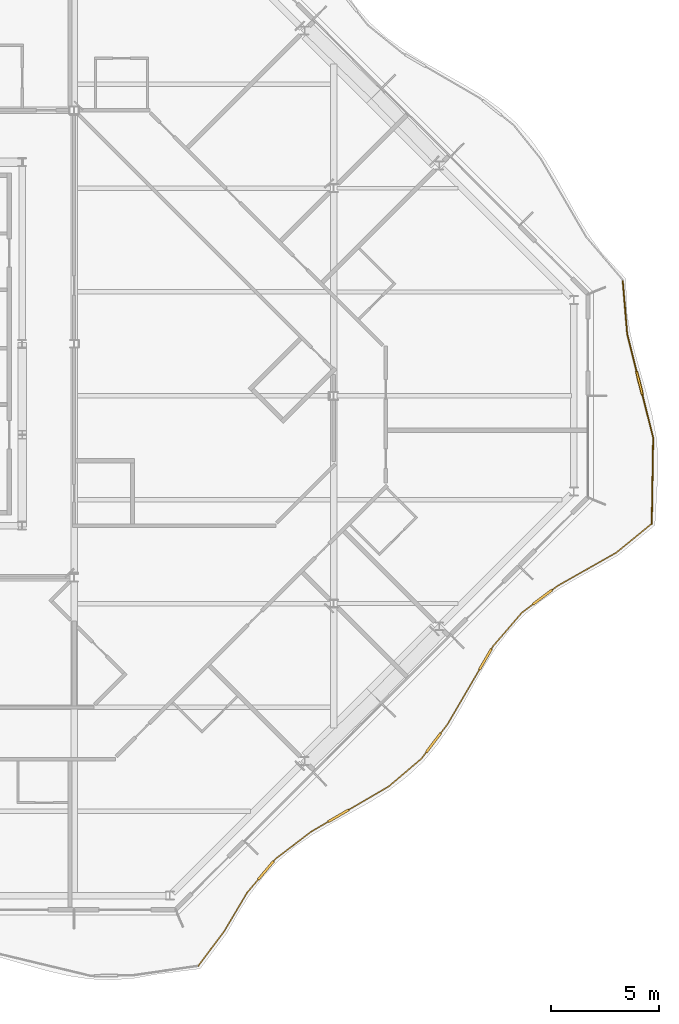
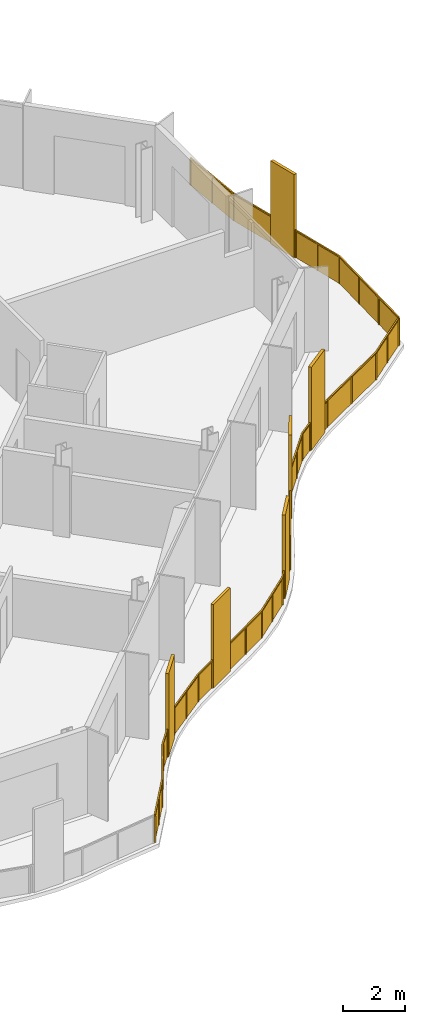
# One storey, part 15 of 17: 2 railings.
"""IFC4 building model written with IfcOpenShell, lengths in metres."""

from ifc_helpers import new_model, si_unit, direction, frame, origin, origin_2d, place, context, subcontext, project, spatial, polyline, rectangle, outline, extrude, material, type_object, element, save


model = new_model("IFC4")

# Units and contexts
model_context = context("Model", 3, precision=1e-05, world=origin(), true_north=direction((0.0, 1.0)))
body_context = subcontext(model_context, "Body", "Model", "MODEL_VIEW")
ifc_project = project(units=[si_unit("LENGTHUNIT", "METRE"), si_unit("AREAUNIT", "SQUARE_METRE"), si_unit("VOLUMEUNIT", "CUBIC_METRE"), si_unit("PLANEANGLEUNIT", "RADIAN"), si_unit("MASSUNIT", "GRAM", prefix="KILO")], contexts=[model_context])

# Site, building, storey
site_placement = place(None, origin())
site = spatial("IfcSite", under=ifc_project, at=site_placement, CompositionType="ELEMENT")
building_placement = place(site_placement, origin())
building = spatial("IfcBuilding", under=site, at=building_placement, Name="Cairn Pilgrim Tower", CompositionType="ELEMENT")
storey_placement = place(building_placement, frame((0.0, 0.0, 257.39990234375)))
storey = spatial("IfcBuildingStorey", under=building, at=storey_placement, Name="L66", CompositionType="ELEMENT", Elevation=257.39990234375)

# Railings
ifc_material = material(Name="Bronze anodised aluminium rail, posts and fin screens with laminated glass infill", Category="aluminium")
railing_type = type_object("IfcRailingType", Name="BALCONY GUARD WITH FIN SCREENS", PredefinedType="GUARDRAIL", material=ifc_material)
railing_1_placement = place(storey_placement, frame((24.945068359375, -26.342041015625, 0.0)))
element("IfcRailing", 1, at=railing_1_placement, inside=storey, type_object=railing_type, Name="Balcony guard BGF-2 with fin screens", PredefinedType="GUARDRAIL", context=body_context, shape_type="SweptSolid", body=[
    extrude(rectangle(XDim=0.050048828125, YDim=0.050048828125, at=origin_2d()), frame((0.0, 0.0, 1.0751953125), z_axis=(0.599409285503, 0.800442695296, 0.0), x_axis=(-0.800442695296, 0.599409285503, 0.0)), (0.0, 0.0, 1.0), 1.984375),
    extrude(rectangle(XDim=0.050048828125, YDim=0.050048828125, at=origin_2d()), frame((1.189453125, 1.58837890625, 1.0751953125), z_axis=(0.510329928553, 0.859978699749, 0.0), x_axis=(-0.859978699749, 0.510329928553, 0.0)), (0.0, 0.0, 1.0), 2.080078125),
    extrude(rectangle(XDim=1.10009765625, YDim=0.110107421875, at=origin_2d()), frame((3.118408203125, 4.408447265625, 0.0), z_axis=(0.0, 0.0, 1.0), x_axis=(0.643742788652, 0.765241936945, 0.0)), (0.0, 0.0, 1.0), 3.300048828125),
    extrude(rectangle(XDim=0.050048828125, YDim=0.050048828125, at=origin_2d()), frame((2.2509765625, 3.377197265625, 1.0751953125), z_axis=(0.643742788652, 0.765241936945, 0.0), x_axis=(-0.765241936945, 0.643742788652, 0.0)), (0.0, 0.0, 1.0), 0.797607421875),
    extrude(rectangle(XDim=0.050048828125, YDim=0.050048828125, at=origin_2d()), frame((3.472412109375, 4.829345703125, 1.0751953125), z_axis=(0.643742788652, 0.765241936945, 0.0), x_axis=(-0.765241936945, 0.643742788652, 0.0)), (0.0, 0.0, 1.0), 0.150146484375),
    extrude(rectangle(XDim=0.050048828125, YDim=0.050048828125, at=origin_2d()), frame((3.569091796875, 4.944091796875, 1.0751953125), z_axis=(0.794550003972, 0.607198724626, 0.0), x_axis=(-0.607198724626, 0.794550003972, 0.0)), (0.0, 0.0, 1.0), 2.054931640625),
    extrude(rectangle(XDim=1.10009765625, YDim=0.110107421875, at=origin_2d()), frame((6.473876953125, 6.933349609375, 0.0), z_axis=(0.0, 0.0, 1.0), x_axis=(0.863974844552, 0.503534971954, 0.0)), (0.0, 0.0, 1.0), 3.300048828125),
    extrude(rectangle(XDim=0.050048828125, YDim=0.050048828125, at=origin_2d()), frame((5.201904296875, 6.19189453125, 1.0751953125), z_axis=(0.863974844552, 0.503534971954, 0.0), x_axis=(-0.503534971954, 0.863974844552, 0.0)), (0.0, 0.0, 1.0), 0.92236328125),
    extrude(rectangle(XDim=0.050048828125, YDim=0.050048828125, at=origin_2d()), frame((6.94921875, 7.210205078125, 1.0751953125), z_axis=(0.863974844552, 0.503534971954, 0.0), x_axis=(-0.503534971954, 0.863974844552, 0.0)), (0.0, 0.0, 1.0), 2.1337890625),
    extrude(rectangle(XDim=0.050048828125, YDim=0.050048828125, at=origin_2d()), frame((8.792724609375, 8.28466796875, 1.0751953125), z_axis=(0.76217861483, 0.647366788688, 0.0), x_axis=(-0.647366788688, 0.76217861483, 0.0)), (0.0, 0.0, 1.0), 1.98828125),
    extrude(rectangle(XDim=1.10009765625, YDim=0.110107421875, at=origin_2d()), frame((10.866943359375, 10.31005859375, 0.0), z_axis=(0.0, 0.0, 1.0), x_axis=(0.603578676161, 0.797303443918, 0.0)), (0.0, 0.0, 1.0), 3.300048828125),
    extrude(rectangle(XDim=0.050048828125, YDim=0.050048828125, at=origin_2d()), frame((10.30810546875, 9.57177734375, 1.0751953125), z_axis=(0.603578676161, 0.797303443918, 0.0), x_axis=(-0.797303443918, 0.603578676161, 0.0)), (0.0, 0.0, 1.0), 0.3759765625),
    extrude(rectangle(XDim=0.050048828125, YDim=0.050048828125, at=origin_2d()), frame((11.198974609375, 10.74853515625, 1.0751953125), z_axis=(0.603578676161, 0.797303443918, 0.0), x_axis=(-0.797303443918, 0.603578676161, 0.0)), (0.0, 0.0, 1.0), 0.529296875),
    extrude(rectangle(XDim=1.10009765625, YDim=0.110107421875, at=origin_2d()), frame((13.26416015625, 14.162353515625, 0.0), z_axis=(0.0, 0.0, 1.0), x_axis=(0.503998612459, 0.863704462556, 0.0)), (0.0, 0.0, 1.0), 3.300048828125),
    extrude(rectangle(XDim=0.050048828125, YDim=0.050048828125, at=origin_2d()), frame((11.518310546875, 11.17041015625, 1.0751953125), z_axis=(0.503998612459, 0.863704462556, 0.0), x_axis=(-0.863704462556, 0.503998612459, 0.0)), (0.0, 0.0, 1.0), 2.9140625),
    extrude(rectangle(XDim=0.050048828125, YDim=0.050048828125, at=origin_2d()), frame((13.541259765625, 14.637451171875, 1.0751953125), z_axis=(0.503998612459, 0.863704462556, 0.0), x_axis=(-0.863704462556, 0.503998612459, 0.0)), (0.0, 0.0, 1.0), 0.14990234375),
    extrude(rectangle(XDim=0.050048828125, YDim=0.050048828125, at=origin_2d()), frame((13.616943359375, 14.766845703125, 1.0751953125), z_axis=(0.651085933483, 0.759004023191, 0.0), x_axis=(-0.759004023191, 0.651085933483, 0.0)), (0.0, 0.0, 1.0), 2.04736328125),
    extrude(rectangle(XDim=1.10009765625, YDim=0.110107421875, at=origin_2d()), frame((15.904541015625, 17.037109375, 0.0), z_axis=(0.0, 0.0, 1.0), x_axis=(0.799871831393, 0.600170853461, 0.0)), (0.0, 0.0, 1.0), 3.300048828125),
    extrude(rectangle(XDim=0.050048828125, YDim=0.050048828125, at=origin_2d()), frame((14.949951171875, 16.32080078125, 1.0751953125), z_axis=(0.799871831393, 0.600170853461, 0.0), x_axis=(-0.600170853461, 0.799871831393, 0.0)), (0.0, 0.0, 1.0), 0.6435546875),
    extrude(rectangle(XDim=0.050048828125, YDim=0.050048828125, at=origin_2d()), frame((16.344482421875, 17.3671875, 1.0751953125), z_axis=(0.799871831393, 0.600170853461, 0.0), x_axis=(-0.600170853461, 0.799871831393, 0.0)), (0.0, 0.0, 1.0), 0.31396484375),
    extrude(rectangle(XDim=0.050048828125, YDim=0.050048828125, at=origin_2d()), frame((16.595703125, 17.5556640625, 1.0751953125), z_axis=(0.870229703751, 0.492646184102, 0.0), x_axis=(-0.492646184102, 0.870229703751, 0.0)), (0.0, 0.0, 1.0), 3.12744140625),
    extrude(rectangle(XDim=0.050048828125, YDim=0.050048828125, at=origin_2d()), frame((19.3173828125, 19.096435546875, 1.0751953125), z_axis=(0.774380724705, 0.632719916871, 0.0), x_axis=(-0.632719916871, 0.774380724705, 0.0)), (0.0, 0.0, 1.0), 2.05419921875),
    extrude(rectangle(XDim=0.050048828125, YDim=0.050048828125, at=origin_2d()), origin(), (0.0, 0.0, 1.0), 1.050048828125),
    extrude(rectangle(XDim=0.050048828125, YDim=0.050048828125, at=origin_2d()), frame((0.5947265625, 0.794189453125, 0.0)), (0.0, 0.0, 1.0), 1.050048828125),
    extrude(rectangle(XDim=0.050048828125, YDim=0.050048828125, at=origin_2d()), frame((1.189453125, 1.58837890625, 0.0)), (0.0, 0.0, 1.0), 1.050048828125),
    extrude(rectangle(XDim=0.050048828125, YDim=0.050048828125, at=origin_2d()), frame((1.72021484375, 2.48291015625, 0.0)), (0.0, 0.0, 1.0), 1.050048828125),
    extrude(rectangle(XDim=0.050048828125, YDim=0.050048828125, at=origin_2d()), frame((2.2509765625, 3.377197265625, 0.0)), (0.0, 0.0, 1.0), 1.050048828125),
    extrude(rectangle(XDim=0.050048828125, YDim=0.050048828125, at=origin_2d()), frame((2.748291015625, 3.96826171875, 0.0)), (0.0, 0.0, 1.0), 1.050048828125),
    extrude(rectangle(XDim=0.050048828125, YDim=0.050048828125, at=origin_2d()), frame((3.488525390625, 4.848388671875, 0.0)), (0.0, 0.0, 1.0), 1.050048828125),
    extrude(rectangle(XDim=0.050048828125, YDim=0.050048828125, at=origin_2d()), frame((3.569091796875, 4.944091796875, 0.0)), (0.0, 0.0, 1.0), 1.050048828125),
    extrude(rectangle(XDim=0.050048828125, YDim=0.050048828125, at=origin_2d()), frame((4.385498046875, 5.56787109375, 0.0)), (0.0, 0.0, 1.0), 1.050048828125),
    extrude(rectangle(XDim=0.050048828125, YDim=0.050048828125, at=origin_2d()), frame((5.201904296875, 6.19189453125, 0.0)), (0.0, 0.0, 1.0), 1.050048828125),
    extrude(rectangle(XDim=0.050048828125, YDim=0.050048828125, at=origin_2d()), frame((5.977294921875, 6.643798828125, 0.0)), (0.0, 0.0, 1.0), 1.050048828125),
    extrude(rectangle(XDim=0.050048828125, YDim=0.050048828125, at=origin_2d()), frame((6.970703125, 7.222900390625, 0.0)), (0.0, 0.0, 1.0), 1.050048828125),
    extrude(rectangle(XDim=0.050048828125, YDim=0.050048828125, at=origin_2d()), frame((7.8818359375, 7.753662109375, 0.0)), (0.0, 0.0, 1.0), 1.050048828125),
    extrude(rectangle(XDim=0.050048828125, YDim=0.050048828125, at=origin_2d()), frame((8.792724609375, 8.28466796875, 0.0)), (0.0, 0.0, 1.0), 1.050048828125),
    extrude(rectangle(XDim=0.050048828125, YDim=0.050048828125, at=origin_2d()), frame((9.55029296875, 8.92822265625, 0.0)), (0.0, 0.0, 1.0), 1.050048828125),
    extrude(rectangle(XDim=0.050048828125, YDim=0.050048828125, at=origin_2d()), frame((10.30810546875, 9.57177734375, 0.0)), (0.0, 0.0, 1.0), 1.050048828125),
    extrude(rectangle(XDim=0.050048828125, YDim=0.050048828125, at=origin_2d()), frame((10.519775390625, 9.8515625, 0.0)), (0.0, 0.0, 1.0), 1.050048828125),
    extrude(rectangle(XDim=0.050048828125, YDim=0.050048828125, at=origin_2d()), frame((11.214111328125, 10.7685546875, 0.0)), (0.0, 0.0, 1.0), 1.050048828125),
    extrude(rectangle(XDim=0.050048828125, YDim=0.050048828125, at=origin_2d()), frame((11.518310546875, 11.17041015625, 0.0)), (0.0, 0.0, 1.0), 1.050048828125),
    extrude(rectangle(XDim=0.050048828125, YDim=0.050048828125, at=origin_2d()), frame((12.246337890625, 12.41796875, 0.0)), (0.0, 0.0, 1.0), 1.050048828125),
    extrude(rectangle(XDim=0.050048828125, YDim=0.050048828125, at=origin_2d()), frame((12.974365234375, 13.66552734375, 0.0)), (0.0, 0.0, 1.0), 1.050048828125),
    extrude(rectangle(XDim=0.050048828125, YDim=0.050048828125, at=origin_2d()), frame((13.553955078125, 14.658935546875, 0.0)), (0.0, 0.0, 1.0), 1.050048828125),
    extrude(rectangle(XDim=0.050048828125, YDim=0.050048828125, at=origin_2d()), frame((13.616943359375, 14.766845703125, 0.0)), (0.0, 0.0, 1.0), 1.050048828125),
    extrude(rectangle(XDim=0.050048828125, YDim=0.050048828125, at=origin_2d()), frame((14.283447265625, 15.5439453125, 0.0)), (0.0, 0.0, 1.0), 1.050048828125),
    extrude(rectangle(XDim=0.050048828125, YDim=0.050048828125, at=origin_2d()), frame((14.949951171875, 16.32080078125, 0.0)), (0.0, 0.0, 1.0), 1.050048828125),
    extrude(rectangle(XDim=0.050048828125, YDim=0.050048828125, at=origin_2d()), frame((15.444580078125, 16.69189453125, 0.0)), (0.0, 0.0, 1.0), 1.050048828125),
    extrude(rectangle(XDim=0.050048828125, YDim=0.050048828125, at=origin_2d()), frame((16.364501953125, 17.38232421875, 0.0)), (0.0, 0.0, 1.0), 1.050048828125),
    extrude(rectangle(XDim=0.050048828125, YDim=0.050048828125, at=origin_2d()), frame((16.595703125, 17.5556640625, 0.0)), (0.0, 0.0, 1.0), 1.050048828125),
    extrude(rectangle(XDim=0.050048828125, YDim=0.050048828125, at=origin_2d()), frame((17.95654296875, 18.326171875, 0.0)), (0.0, 0.0, 1.0), 1.050048828125),
    extrude(rectangle(XDim=0.050048828125, YDim=0.050048828125, at=origin_2d()), frame((19.3173828125, 19.096435546875, 0.0)), (0.0, 0.0, 1.0), 1.050048828125),
    extrude(rectangle(XDim=0.050048828125, YDim=0.050048828125, at=origin_2d()), frame((20.11279296875, 19.746337890625, 0.0)), (0.0, 0.0, 1.0), 1.050048828125),
    extrude(rectangle(XDim=0.050048828125, YDim=0.050048828125, at=origin_2d()), frame((20.908203125, 20.396240234375, 0.0)), (0.0, 0.0, 1.0), 1.050048828125),
    extrude(outline(polyline([(0.02490234375, 0.0), (0.96728515625, 0.0), (0.96728515625, 1.050048828125), (0.02490234375, 1.050048828125), (0.02490234375, 0.0)])), frame((-0.0048828125, 0.003662109375, 0.0), z_axis=(0.800442695296, -0.599409285503, 0.0), x_axis=(0.599409285503, 0.800442695296, 0.0)), (0.0, 0.0, 1.0), 0.011962890625),
    extrude(outline(polyline([(0.02490234375, 0.0), (0.96728515625, 0.0), (0.96728515625, 1.050048828125), (0.02490234375, 1.050048828125), (0.02490234375, 0.0)])), frame((0.58984375, 0.7978515625, 0.0), z_axis=(0.800442695296, -0.599409285503, 0.0), x_axis=(0.599409285503, 0.800442695296, 0.0)), (0.0, 0.0, 1.0), 0.011962890625),
    extrude(outline(polyline([(0.02490234375, 0.0), (1.014892578125, 0.0), (1.014892578125, 1.050048828125), (0.02490234375, 1.050048828125), (0.02490234375, 0.0)])), frame((1.184326171875, 1.591552734375, 0.0), z_axis=(0.859978699749, -0.510329928553, 0.0), x_axis=(0.510329928553, 0.859978699749, 0.0)), (0.0, 0.0, 1.0), 0.011962890625),
    extrude(outline(polyline([(0.02490234375, 0.0), (1.014892578125, 0.0), (1.014892578125, 1.050048828125), (0.02490234375, 1.050048828125), (0.02490234375, 0.0)])), frame((1.715087890625, 2.48583984375, 0.0), z_axis=(0.859978699749, -0.510329928553, 0.0), x_axis=(0.510329928553, 0.859978699749, 0.0)), (0.0, 0.0, 1.0), 0.011962890625),
    extrude(outline(polyline([(0.02490234375, 0.0), (0.74755859375, 0.0), (0.74755859375, 1.050048828125), (0.02490234375, 1.050048828125), (0.02490234375, 0.0)])), frame((2.246337890625, 3.381103515625, 0.0), z_axis=(0.765241936945, -0.643742788652, 0.0), x_axis=(0.643742788652, 0.765241936945, 0.0)), (0.0, 0.0, 1.0), 0.011962890625),
    extrude(outline(polyline([(0.02490234375, 0.0), (0.10009765625, 0.0), (0.10009765625, 1.050048828125), (0.02490234375, 1.050048828125), (0.02490234375, 0.0)])), frame((3.484130859375, 4.852294921875, 0.0), z_axis=(0.765241936945, -0.643742788652, 0.0), x_axis=(0.643742788652, 0.765241936945, 0.0)), (0.0, 0.0, 1.0), 0.011962890625),
    extrude(outline(polyline([(0.02490234375, 0.0), (1.00244140625, 0.0), (1.00244140625, 1.050048828125), (0.02490234375, 1.050048828125), (0.02490234375, 0.0)])), frame((3.5654296875, 4.94873046875, 0.0), z_axis=(0.607198724626, -0.794550003972, 0.0), x_axis=(0.794550003972, 0.607198724626, 0.0)), (0.0, 0.0, 1.0), 0.011962890625),
    extrude(outline(polyline([(0.02490234375, 0.0), (1.00244140625, 0.0), (1.00244140625, 1.050048828125), (0.02490234375, 1.050048828125), (0.02490234375, 0.0)])), frame((4.3818359375, 5.57275390625, 0.0), z_axis=(0.607198724626, -0.794550003972, 0.0), x_axis=(0.794550003972, 0.607198724626, 0.0)), (0.0, 0.0, 1.0), 0.011962890625),
    extrude(outline(polyline([(0.02490234375, 0.0), (0.872314453125, 0.0), (0.872314453125, 1.050048828125), (0.02490234375, 1.050048828125), (0.02490234375, 0.0)])), frame((5.198974609375, 6.197021484375, 0.0), z_axis=(0.503534971954, -0.863974844552, 0.0), x_axis=(0.863974844552, 0.503534971954, 0.0)), (0.0, 0.0, 1.0), 0.011962890625),
    extrude(outline(polyline([(0.02490234375, 0.0), (1.029296875, 0.0), (1.029296875, 1.050048828125), (0.02490234375, 1.050048828125), (0.02490234375, 0.0)])), frame((6.9677734375, 7.22802734375, 0.0), z_axis=(0.503534971954, -0.863974844552, 0.0), x_axis=(0.863974844552, 0.503534971954, 0.0)), (0.0, 0.0, 1.0), 0.011962890625),
    extrude(outline(polyline([(0.02490234375, 0.0), (1.029296875, 0.0), (1.029296875, 1.050048828125), (0.02490234375, 1.050048828125), (0.02490234375, 0.0)])), frame((7.878662109375, 7.759033203125, 0.0), z_axis=(0.503534971954, -0.863974844552, 0.0), x_axis=(0.863974844552, 0.503534971954, 0.0)), (0.0, 0.0, 1.0), 0.011962890625),
    extrude(outline(polyline([(0.02490234375, 0.0), (0.968994140625, 0.0), (0.968994140625, 1.050048828125), (0.02490234375, 1.050048828125), (0.02490234375, 0.0)])), frame((8.788818359375, 8.289306640625, 0.0), z_axis=(0.647366788688, -0.76217861483, 0.0), x_axis=(0.76217861483, 0.647366788688, 0.0)), (0.0, 0.0, 1.0), 0.011962890625),
    extrude(outline(polyline([(0.02490234375, 0.0), (0.968994140625, 0.0), (0.968994140625, 1.050048828125), (0.02490234375, 1.050048828125), (0.02490234375, 0.0)])), frame((9.546630859375, 8.932861328125, 0.0), z_axis=(0.647366788688, -0.76217861483, 0.0), x_axis=(0.76217861483, 0.647366788688, 0.0)), (0.0, 0.0, 1.0), 0.011962890625),
    extrude(outline(polyline([(0.02490234375, 0.0), (0.325927734375, 0.0), (0.325927734375, 1.050048828125), (0.02490234375, 1.050048828125), (0.02490234375, 0.0)])), frame((10.30322265625, 9.575439453125, 0.0), z_axis=(0.797303443918, -0.603578676161, 0.0), x_axis=(0.603578676161, 0.797303443918, 0.0)), (0.0, 0.0, 1.0), 0.011962890625),
    extrude(outline(polyline([(0.02490234375, 0.0), (0.479248046875, 0.0), (0.479248046875, 1.050048828125), (0.02490234375, 1.050048828125), (0.02490234375, 0.0)])), frame((11.209228515625, 10.77197265625, 0.0), z_axis=(0.797303443918, -0.603578676161, 0.0), x_axis=(0.603578676161, 0.797303443918, 0.0)), (0.0, 0.0, 1.0), 0.011962890625),
    extrude(outline(polyline([(0.02490234375, 0.0), (1.41943359375, 0.0), (1.41943359375, 1.050048828125), (0.02490234375, 1.050048828125), (0.02490234375, 0.0)])), frame((11.51318359375, 11.17333984375, 0.0), z_axis=(0.863704462556, -0.503998612459, 0.0), x_axis=(0.503998612459, 0.863704462556, 0.0)), (0.0, 0.0, 1.0), 0.011962890625),
    extrude(outline(polyline([(0.02490234375, 0.0), (1.41943359375, 0.0), (1.41943359375, 1.050048828125), (0.02490234375, 1.050048828125), (0.02490234375, 0.0)])), frame((12.2412109375, 12.421142578125, 0.0), z_axis=(0.863704462556, -0.503998612459, 0.0), x_axis=(0.503998612459, 0.863704462556, 0.0)), (0.0, 0.0, 1.0), 0.011962890625),
    extrude(outline(polyline([(0.02490234375, 0.0), (0.099853515625, 0.0), (0.099853515625, 1.050048828125), (0.02490234375, 1.050048828125), (0.02490234375, 0.0)])), frame((13.548828125, 14.661865234375, 0.0), z_axis=(0.863704462556, -0.503998612459, 0.0), x_axis=(0.503998612459, 0.863704462556, 0.0)), (0.0, 0.0, 1.0), 0.011962890625),
    extrude(outline(polyline([(0.02490234375, 0.0), (0.99853515625, 0.0), (0.99853515625, 1.050048828125), (0.02490234375, 1.050048828125), (0.02490234375, 0.0)])), frame((13.6123046875, 14.770751953125, 0.0), z_axis=(0.759004023191, -0.651085933483, 0.0), x_axis=(0.651085933483, 0.759004023191, 0.0)), (0.0, 0.0, 1.0), 0.011962890625),
    extrude(outline(polyline([(0.02490234375, 0.0), (0.99853515625, 0.0), (0.99853515625, 1.050048828125), (0.02490234375, 1.050048828125), (0.02490234375, 0.0)])), frame((14.27880859375, 15.547607421875, 0.0), z_axis=(0.759004023191, -0.651085933483, 0.0), x_axis=(0.651085933483, 0.759004023191, 0.0)), (0.0, 0.0, 1.0), 0.011962890625),
    extrude(outline(polyline([(0.02490234375, 0.0), (0.593505859375, 0.0), (0.593505859375, 1.050048828125), (0.02490234375, 1.050048828125), (0.02490234375, 0.0)])), frame((14.9462890625, 16.32568359375, 0.0), z_axis=(0.600170853461, -0.799871831393, 0.0), x_axis=(0.799871831393, 0.600170853461, 0.0)), (0.0, 0.0, 1.0), 0.011962890625),
    extrude(outline(polyline([(0.02490234375, 0.0), (0.263916015625, 0.0), (0.263916015625, 1.050048828125), (0.02490234375, 1.050048828125), (0.02490234375, 0.0)])), frame((16.36083984375, 17.386962890625, 0.0), z_axis=(0.600170853461, -0.799871831393, 0.0), x_axis=(0.799871831393, 0.600170853461, 0.0)), (0.0, 0.0, 1.0), 0.011962890625),
    extrude(outline(polyline([(0.02490234375, 0.0), (1.538818359375, 0.0), (1.538818359375, 1.050048828125), (0.02490234375, 1.050048828125), (0.02490234375, 0.0)])), frame((16.5927734375, 17.560791015625, 0.0), z_axis=(0.492646184102, -0.870229703751, 0.0), x_axis=(0.870229703751, 0.492646184102, 0.0)), (0.0, 0.0, 1.0), 0.011962890625),
    extrude(outline(polyline([(0.02490234375, 0.0), (1.538818359375, 0.0), (1.538818359375, 1.050048828125), (0.02490234375, 1.050048828125), (0.02490234375, 0.0)])), frame((17.95361328125, 18.331298828125, 0.0), z_axis=(0.492646184102, -0.870229703751, 0.0), x_axis=(0.870229703751, 0.492646184102, 0.0)), (0.0, 0.0, 1.0), 0.011962890625),
    extrude(outline(polyline([(0.02490234375, 0.0), (1.002197265625, 0.0), (1.002197265625, 1.050048828125), (0.02490234375, 1.050048828125), (0.02490234375, 0.0)])), frame((19.3134765625, 19.10107421875, 0.0), z_axis=(0.632719916871, -0.774380724705, 0.0), x_axis=(0.774380724705, 0.632719916871, 0.0)), (0.0, 0.0, 1.0), 0.011962890625),
    extrude(outline(polyline([(0.02490234375, 0.0), (1.002197265625, 0.0), (1.002197265625, 1.050048828125), (0.02490234375, 1.050048828125), (0.02490234375, 0.0)])), frame((20.10888671875, 19.7509765625, 0.0), z_axis=(0.632719916871, -0.774380724705, 0.0), x_axis=(0.774380724705, 0.632719916871, 0.0)), (0.0, 0.0, 1.0), 0.011962890625),
])
railing_2_placement = place(storey_placement, frame((45.899658203125, -5.90771484375, 0.0)))
element("IfcRailing", 2, at=railing_2_placement, inside=storey, type_object=railing_type, Name="Balcony guard BGF-3 with fin screens", PredefinedType="GUARDRAIL", context=body_context, shape_type="SweptSolid", body=[
    extrude(rectangle(XDim=0.050048828125, YDim=0.050048828125, at=origin_2d()), frame((0.0, 0.0, 1.0751953125), z_axis=(0.016108098574, 0.999870256163, 0.0), x_axis=(-0.999870256163, 0.016108098574, 0.0)), (0.0, 0.0, 1.0), 3.970947265625),
    extrude(rectangle(XDim=1.10009765625, YDim=0.110107421875, at=origin_2d()), frame((-0.56982421875, 6.503173828125, 0.0), z_axis=(0.0, 0.0, 1.0), x_axis=(-0.242733285544, 0.970093063623, 0.0)), (0.0, 0.0, 1.0), 3.300048828125),
    extrude(rectangle(XDim=0.050048828125, YDim=0.050048828125, at=origin_2d()), frame((0.06396484375, 3.970458984375, 1.0751953125), z_axis=(-0.242733285544, 0.970093063623, 0.0), x_axis=(-0.970093063623, -0.242733285544, 0.0)), (0.0, 0.0, 1.0), 2.060791015625),
    extrude(rectangle(XDim=0.050048828125, YDim=0.050048828125, at=origin_2d()), frame((-0.703369140625, 7.036865234375, 1.0751953125), z_axis=(-0.242733285544, 0.970093063623, 0.0), x_axis=(-0.970093063623, -0.242733285544, 0.0)), (0.0, 0.0, 1.0), 1.779541015625),
    extrude(rectangle(XDim=0.050048828125, YDim=0.050048828125, at=origin_2d()), frame((-1.13525390625, 8.76318359375, 1.0751953125), z_axis=(-0.083465354914, 0.996510679586, 0.0), x_axis=(-0.996510679586, -0.083465354914, 0.0)), (0.0, 0.0, 1.0), 2.4541015625),
    extrude(rectangle(XDim=0.050048828125, YDim=0.050048828125, at=origin_2d()), origin(), (0.0, 0.0, 1.0), 1.050048828125),
    extrude(rectangle(XDim=0.050048828125, YDim=0.050048828125, at=origin_2d()), frame((0.021240234375, 1.323486328125, 0.0)), (0.0, 0.0, 1.0), 1.050048828125),
    extrude(rectangle(XDim=0.050048828125, YDim=0.050048828125, at=origin_2d()), frame((0.042724609375, 2.64697265625, 0.0)), (0.0, 0.0, 1.0), 1.050048828125),
    extrude(rectangle(XDim=0.050048828125, YDim=0.050048828125, at=origin_2d()), frame((0.06396484375, 3.970458984375, 0.0)), (0.0, 0.0, 1.0), 1.050048828125),
    extrude(rectangle(XDim=0.050048828125, YDim=0.050048828125, at=origin_2d()), frame((-0.18310546875, 4.9580078125, 0.0)), (0.0, 0.0, 1.0), 1.050048828125),
    extrude(rectangle(XDim=0.050048828125, YDim=0.050048828125, at=origin_2d()), frame((-0.43017578125, 5.9453125, 0.0)), (0.0, 0.0, 1.0), 1.050048828125),
    extrude(rectangle(XDim=0.050048828125, YDim=0.050048828125, at=origin_2d()), frame((-0.709228515625, 7.06103515625, 0.0)), (0.0, 0.0, 1.0), 1.050048828125),
    extrude(rectangle(XDim=0.050048828125, YDim=0.050048828125, at=origin_2d()), frame((-1.13525390625, 8.76318359375, 0.0)), (0.0, 0.0, 1.0), 1.050048828125),
    extrude(rectangle(XDim=0.050048828125, YDim=0.050048828125, at=origin_2d()), frame((-1.23779296875, 9.98583984375, 0.0)), (0.0, 0.0, 1.0), 1.050048828125),
    extrude(rectangle(XDim=0.050048828125, YDim=0.050048828125, at=origin_2d()), frame((-1.340087890625, 11.208740234375, 0.0)), (0.0, 0.0, 1.0), 1.050048828125),
    extrude(outline(polyline([(0.02490234375, 0.0), (1.298583984375, 0.0), (1.298583984375, 1.050048828125), (0.02490234375, 1.050048828125), (0.02490234375, 0.0)])), frame((-0.005859375, 0.0, 0.0), z_axis=(0.999870256163, -0.016108098574, 0.0), x_axis=(0.016108098574, 0.999870256163, 0.0)), (0.0, 0.0, 1.0), 0.011962890625),
    extrude(outline(polyline([(0.02490234375, 0.0), (1.298583984375, 0.0), (1.298583984375, 1.050048828125), (0.02490234375, 1.050048828125), (0.02490234375, 0.0)])), frame((0.015380859375, 1.323486328125, 0.0), z_axis=(0.999870256163, -0.016108098574, 0.0), x_axis=(0.016108098574, 0.999870256163, 0.0)), (0.0, 0.0, 1.0), 0.011962890625),
    extrude(outline(polyline([(0.02490234375, 0.0), (1.298583984375, 0.0), (1.298583984375, 1.050048828125), (0.02490234375, 1.050048828125), (0.02490234375, 0.0)])), frame((0.03662109375, 2.64697265625, 0.0), z_axis=(0.999870256163, -0.016108098574, 0.0), x_axis=(0.016108098574, 0.999870256163, 0.0)), (0.0, 0.0, 1.0), 0.011962890625),
    extrude(outline(polyline([(0.02490234375, 0.0), (0.992919921875, 0.0), (0.992919921875, 1.050048828125), (0.02490234375, 1.050048828125), (0.02490234375, 0.0)])), frame((0.05810546875, 3.968994140625, 0.0), z_axis=(0.970093063623, 0.242733285544, 0.0), x_axis=(-0.242733285544, 0.970093063623, 0.0)), (0.0, 0.0, 1.0), 0.011962890625),
    extrude(outline(polyline([(0.02490234375, 0.0), (0.992919921875, 0.0), (0.992919921875, 1.050048828125), (0.02490234375, 1.050048828125), (0.02490234375, 0.0)])), frame((-0.18896484375, 4.95654296875, 0.0), z_axis=(0.970093063623, 0.242733285544, 0.0), x_axis=(-0.242733285544, 0.970093063623, 0.0)), (0.0, 0.0, 1.0), 0.011962890625),
    extrude(outline(polyline([(0.02490234375, 0.0), (1.7294921875, 0.0), (1.7294921875, 1.050048828125), (0.02490234375, 1.050048828125), (0.02490234375, 0.0)])), frame((-0.715087890625, 7.0595703125, 0.0), z_axis=(0.970093063623, 0.242733285544, 0.0), x_axis=(-0.242733285544, 0.970093063623, 0.0)), (0.0, 0.0, 1.0), 0.011962890625),
    extrude(outline(polyline([(0.02490234375, 0.0), (1.2021484375, 0.0), (1.2021484375, 1.050048828125), (0.02490234375, 1.050048828125), (0.02490234375, 0.0)])), frame((-1.14111328125, 8.7626953125, 0.0), z_axis=(0.996510679586, 0.083465354914, 0.0), x_axis=(-0.083465354914, 0.996510679586, 0.0)), (0.0, 0.0, 1.0), 0.011962890625),
    extrude(outline(polyline([(0.02490234375, 0.0), (1.2021484375, 0.0), (1.2021484375, 1.050048828125), (0.02490234375, 1.050048828125), (0.02490234375, 0.0)])), frame((-1.24365234375, 9.9853515625, 0.0), z_axis=(0.996510679586, 0.083465354914, 0.0), x_axis=(-0.083465354914, 0.996510679586, 0.0)), (0.0, 0.0, 1.0), 0.011962890625),
])

save(model, "model.ifc")
